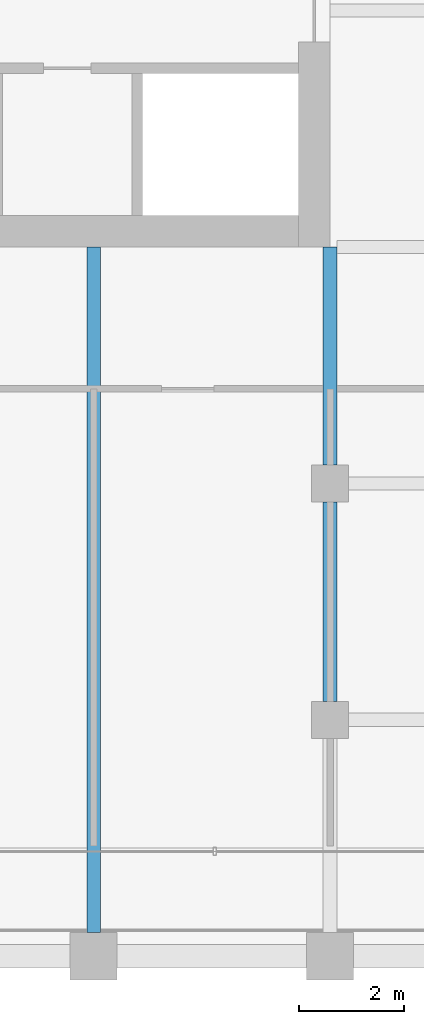
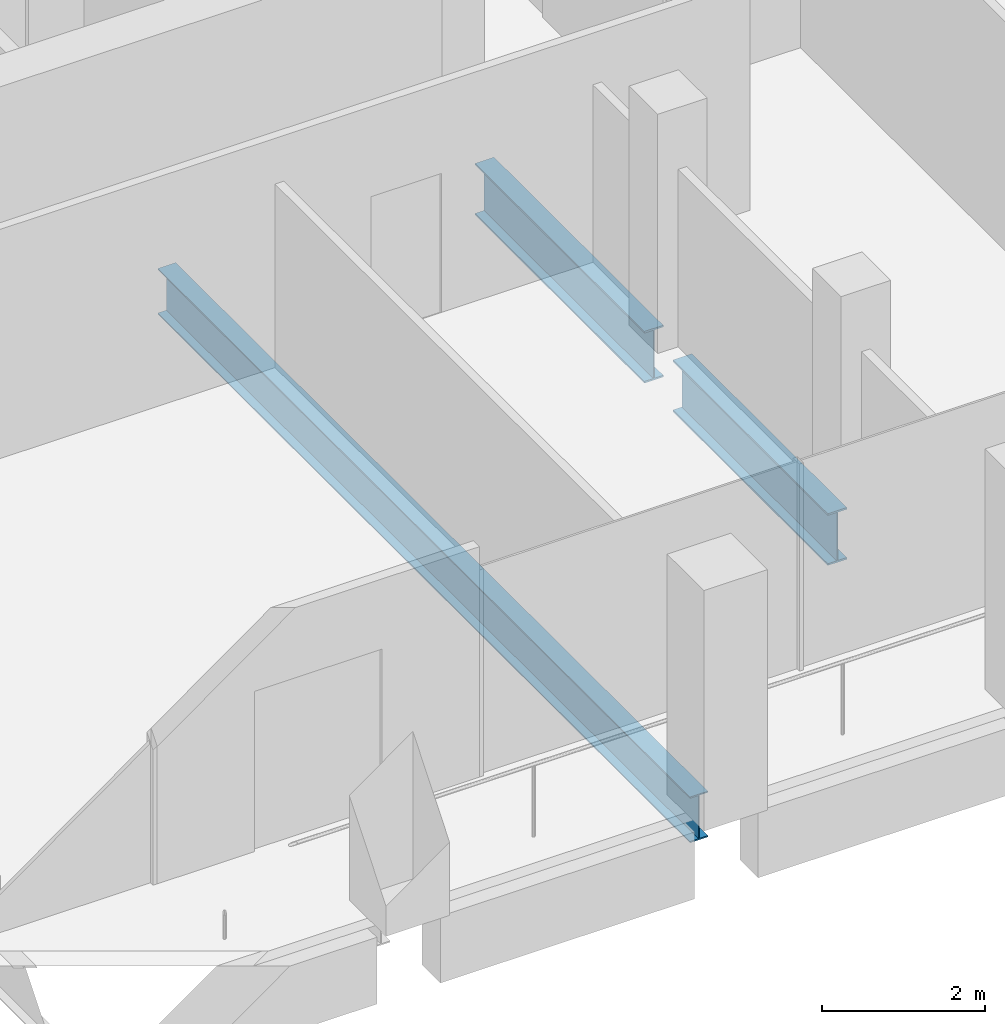
# One storey, part 10 of 40: 3 beams.
"""IFC4 building model written with IfcOpenShell, lengths in metres."""

import ifcopenshell
import ifcopenshell.guid

model = None  # the IFC model being written
_history = None  # IfcOwnerHistory: only IFC2X3 demands one
_inside = {}  # id of a spatial element -> (the spatial element, [elements in it])
_under = {}  # id of a project, library or spatial element -> (it, [spatial elements below it])
_declared = {}  # id of a project -> (the project, [libraries it declares])
_typed = {}  # id of a type object -> (the type object, [elements of that type])
_made_of = {}  # id of a material, layer set ... -> (it, [elements and type objects made of it])


def new_model(schema):
    """Start an empty IFC model of exactly this schema.

    Asked for "IFC4X3", IfcOpenShell would pick the latest addendum, in which some entities
    have other attributes; the version numbers below select the first issue.
    IFC2X3 requires an IfcOwnerHistory on every rooted entity: one is made here for all.
    """
    global model, _history
    if schema == "IFC4X3":
        model = ifcopenshell.file(schema_version=(4, 3, 0, 0))
    else:
        model = ifcopenshell.file(schema=schema)
    _inside.clear()
    _under.clear()
    _declared.clear()
    _typed.clear()
    _made_of.clear()
    _history = None
    if model.schema == "IFC2X3":
        org = make("IfcOrganization", Name="unknown")
        user = make(
            "IfcPersonAndOrganization",
            ThePerson=make("IfcPerson", FamilyName="unknown"),
            TheOrganization=org,
        )
        app = make(
            "IfcApplication",
            ApplicationDeveloper=org,
            Version="unknown",
            ApplicationFullName="unknown",
            ApplicationIdentifier="unknown",
        )
        _history = make(
            "IfcOwnerHistory",
            OwningUser=user,
            OwningApplication=app,
            ChangeAction="ADDED",
            CreationDate=0,
        )
    return model


def make(cls, **values):
    """One entity of the class cls with the attributes given. An attribute that is None is left unset."""
    return model.create_entity(
        cls, **{name: value for name, value in values.items() if value is not None}
    )


def rooted(cls, **values):
    """An entity with a GlobalId (a new one), such as an element, a storey or a relation."""
    return make(cls, GlobalId=ifcopenshell.guid.new(), OwnerHistory=_history, **values)


def si_unit(unit_type, name, prefix=None):
    """IfcSIUnit, for example si_unit("LENGTHUNIT", "METRE", prefix="MILLI")."""
    return make("IfcSIUnit", UnitType=unit_type, Prefix=prefix, Name=name)


def assignment(units):
    """IfcUnitAssignment: the units of a project."""
    return None if units is None else make("IfcUnitAssignment", Units=units)


def point(xyz):
    """IfcCartesianPoint."""
    return None if xyz is None else make("IfcCartesianPoint", Coordinates=xyz)


def direction(xyz):
    """IfcDirection."""
    return None if xyz is None else make("IfcDirection", DirectionRatios=xyz)


def frame(location, z_axis=None, x_axis=None):
    """IfcAxis2Placement3D, a coordinate frame: its origin and axes. An axis left out is left unset."""
    return make(
        "IfcAxis2Placement3D",
        Location=point(location),
        Axis=direction(z_axis),
        RefDirection=direction(x_axis),
    )


def frame_2d(location, x_axis=None):
    """IfcAxis2Placement2D, a coordinate frame in the plane: its origin and x axis."""
    return make(
        "IfcAxis2Placement2D", Location=point(location), RefDirection=direction(x_axis)
    )


def origin():
    """The frame at (0, 0, 0) with its axes left unset."""
    return frame((0.0, 0.0, 0.0))


def origin_2d():
    """The frame at (0, 0) in the plane with its x axis left unset."""
    return frame_2d((0.0, 0.0))


def place(relative_to, where):
    """IfcLocalPlacement: puts the frame where relative to a parent placement (None: the world)."""
    return make(
        "IfcLocalPlacement", PlacementRelTo=relative_to, RelativePlacement=where
    )


def context(
    kind, dimensions, precision=None, world=None, true_north=None, identifier=None
):
    """IfcGeometricRepresentationContext, for example the 3D "Model" context."""
    return make(
        "IfcGeometricRepresentationContext",
        ContextIdentifier=identifier,
        ContextType=kind,
        CoordinateSpaceDimension=dimensions,
        Precision=precision,
        WorldCoordinateSystem=world,
        TrueNorth=true_north,
    )


def subcontext(parent, identifier, kind, view, scale=None):
    """IfcGeometricRepresentationSubContext, for example "Body" below "Model"."""
    return make(
        "IfcGeometricRepresentationSubContext",
        ContextIdentifier=identifier,
        ContextType=kind,
        ParentContext=parent,
        TargetScale=scale,
        TargetView=view,
    )


def project(units=None, contexts=None):
    """IfcProject with its units and contexts."""
    return rooted(
        "IfcProject",
        Name="project",
        RepresentationContexts=contexts,
        UnitsInContext=assignment(units),
    )


def spatial(cls, under=None, at=None, **own):
    """A site, building, storey or space (cls), placed at a placement, below another one or the project."""
    s = rooted(cls, ObjectPlacement=at, **own)
    if under is not None:
        _under.setdefault(under.id(), (under, []))[1].append(s)
    return s


def profile(cls, at=None, kind="AREA", **sizes):
    """A parametric profile (cls). Its sizes go by their IFC names, for example OverallWidth=200.0."""
    return make(cls, ProfileType=kind, Position=at, **sizes)


def i_section(**sizes):
    """IfcIShapeProfileDef."""
    return profile("IfcIShapeProfileDef", **sizes)


def extrude(swept, where, along, depth):
    """IfcExtrudedAreaSolid: the profile swept, set in the frame where, extruded along a direction by depth."""
    return make(
        "IfcExtrudedAreaSolid",
        SweptArea=swept,
        Position=where,
        ExtrudedDirection=direction(along),
        Depth=depth,
    )


def shape(context_of_items, identifier, shape_type, items):
    """IfcShapeRepresentation: the items that make up one representation, for example the "Body"."""
    return make(
        "IfcShapeRepresentation",
        ContextOfItems=context_of_items,
        RepresentationIdentifier=identifier,
        RepresentationType=shape_type,
        Items=items,
    )


def material(Name=None, Category=None):
    """IfcMaterial."""
    return make("IfcMaterial", Name=Name, Category=Category)


def material_profile(
    of_material, cross_section, Name=None, Category=None, Priority=None
):
    """IfcMaterialProfile: a cross section and its material."""
    return make(
        "IfcMaterialProfile",
        Name=Name,
        Material=of_material,
        Profile=cross_section,
        Priority=Priority,
        Category=Category,
    )


def profile_set(profiles, Name=None, composite=None):
    """IfcMaterialProfileSet."""
    return make(
        "IfcMaterialProfileSet",
        Name=Name,
        MaterialProfiles=profiles,
        CompositeProfile=composite,
    )


def made_of(thing, what):
    """Note that an element or type object is made of a material, layer set ...; save() writes the relation."""
    if what is not None:
        _made_of.setdefault(what.id(), (what, []))[1].append(thing)
    return thing


def type_object(cls, material=None, **own):
    """A type object (cls), such as IfcWallType, which elements share."""
    return made_of(rooted(cls, **own), material)


def element(
    cls,
    number,
    at=None,
    inside=None,
    cuts=None,
    type_object=None,
    material=None,
    context=None,
    identifier="Body",
    shape_type=None,
    held_by="IfcProductDefinitionShape",
    body=None,
    shapes=None,
    **own,
):
    """One element of the class cls, such as IfcWall. Its Tag is "e" and its number.

    at: its placement. inside: the storey or other place that contains it. cuts: it is an
    opening in that element (IfcRelVoidsElement). A single representation is given by context,
    identifier, shape_type and body (its items); several are given by shapes. held_by: the class
    of the entity that holds the representations. save() writes the other relations.
    """
    e = rooted(cls, Tag="e%d" % number, ObjectPlacement=at, **own)
    if body is not None:
        shapes = [shape(context, identifier, shape_type, body)]
    if shapes is not None:
        e.Representation = make(held_by, Representations=shapes)
    if inside is not None:
        _inside.setdefault(inside.id(), (inside, []))[1].append(e)
    if cuts is not None:
        rooted(
            "IfcRelVoidsElement", RelatingBuildingElement=cuts, RelatedOpeningElement=e
        )
    if type_object is not None:
        _typed.setdefault(type_object.id(), (type_object, []))[1].append(e)
    return made_of(e, material)


def aggregate(whole, parts):
    """IfcRelAggregates: a whole, such as a stair, and the parts it consists of."""
    return rooted("IfcRelAggregates", RelatingObject=whole, RelatedObjects=parts)


def save(model, path):
    """Write the relations noted so far, then the file.

    IfcRelAggregates (storeys below a building ...), IfcRelContainedInSpatialStructure (elements
    in a storey), IfcRelDefinesByType, IfcRelAssociatesMaterial and IfcRelDeclares: one each for
    every whole, place, type object, material and project.
    """
    for whole, parts in _under.values():
        aggregate(whole, parts)
    for where, things in _inside.values():
        rooted(
            "IfcRelContainedInSpatialStructure",
            RelatedElements=things,
            RelatingStructure=where,
        )
    for kind, things in _typed.values():
        rooted("IfcRelDefinesByType", RelatedObjects=things, RelatingType=kind)
    for what, things in _made_of.values():
        rooted("IfcRelAssociatesMaterial", RelatedObjects=things, RelatingMaterial=what)
    for by, libraries in _declared.values():
        rooted("IfcRelDeclares", RelatingContext=by, RelatedDefinitions=libraries)
    model.write(path)


model = new_model("IFC4")

# Units and contexts
model_context = context("Model", 3, precision=1e-05, world=origin(), true_north=direction((0.0, 1.0)))
body_context = subcontext(model_context, "Body", "Model", "MODEL_VIEW")
ifc_project = project(units=[si_unit("LENGTHUNIT", "METRE"), si_unit("AREAUNIT", "SQUARE_METRE"), si_unit("VOLUMEUNIT", "CUBIC_METRE"), si_unit("PLANEANGLEUNIT", "RADIAN"), si_unit("MASSUNIT", "GRAM", prefix="KILO")], contexts=[model_context])

# Site, building, storey
site_placement = place(None, origin())
site = spatial("IfcSite", under=ifc_project, at=site_placement, CompositionType="ELEMENT")
building_placement = place(site_placement, origin())
building = spatial("IfcBuilding", under=site, at=building_placement, Name="Altepetl Exchange Towers", CompositionType="ELEMENT")
storey_placement = place(building_placement, frame((0.0, 0.0, 169.0)))
storey = spatial("IfcBuildingStorey", under=building, at=storey_placement, Name="L42", CompositionType="ELEMENT", Elevation=169.0)

# Beams
ifc_material = material(Name="Steel S355", Category="steel")
ifc_material_profile_1 = material_profile(ifc_material, i_section(OverallWidth=0.25390625, OverallDepth=0.68408203125, WebThickness=0.012451171875, FlangeThickness=0.018798828125, at=origin_2d()), Name="W27X94")
ifc_profile_set_1 = profile_set([ifc_material_profile_1], Name="Steel S355")
beam_type_1 = type_object("IfcBeamType", Name="Floor beam W27X94", PredefinedType="BEAM", material=ifc_profile_set_1)
beam_1_placement = place(storey_placement, frame((54.0, 27.449951171875, -0.491943359375), z_axis=(0.0, 1.0, 0.0), x_axis=(-1.0, 0.0, 0.0)))
element("IfcBeam", 1, at=beam_1_placement, inside=storey, type_object=beam_type_1, Name="bm:A:L42:017", PredefinedType="BEAM", context=body_context, shape_type="SweptSolid", body=[
    extrude(i_section(OverallWidth=0.25390625, OverallDepth=0.68408203125, WebThickness=0.012451171875, FlangeThickness=0.018798828125, at=origin_2d()), origin(), (0.0, 0.0, 1.0), 13.050048828125),
])
ifc_material_profile_2 = material_profile(ifc_material, i_section(OverallWidth=0.26806640625, OverallDepth=0.77392578125, WebThickness=0.015380859375, FlangeThickness=0.025390625, at=origin_2d()), Name="W30X132")
ifc_profile_set_2 = profile_set([ifc_material_profile_2], Name="Steel S355")
beam_type_2 = type_object("IfcBeamType", Name="Girder W30X132", PredefinedType="BEAM", material=ifc_profile_set_2)
beam_2_placement = place(storey_placement, frame((58.5, 40.5, -0.537109375), z_axis=(0.0, -1.0, 0.0), x_axis=(1.0, 0.0, 0.0)))
element("IfcBeam", 2, at=beam_2_placement, inside=storey, type_object=beam_type_2, Name="gd:A:L42:003", PredefinedType="BEAM", context=body_context, shape_type="SweptSolid", body=[
    extrude(i_section(OverallWidth=0.26806640625, OverallDepth=0.77392578125, WebThickness=0.015380859375, FlangeThickness=0.025390625, at=origin_2d()), origin(), (0.0, 0.0, 1.0), 4.14990234375),
])
beam_3_placement = place(storey_placement, frame((58.5, 35.64990234375, -0.537109375), z_axis=(0.0, -1.0, 0.0), x_axis=(1.0, 0.0, 0.0)))
element("IfcBeam", 3, at=beam_3_placement, inside=storey, type_object=beam_type_2, Name="gd:A:L42:004", PredefinedType="BEAM", context=body_context, shape_type="SweptSolid", body=[
    extrude(i_section(OverallWidth=0.26806640625, OverallDepth=0.77392578125, WebThickness=0.015380859375, FlangeThickness=0.025390625, at=origin_2d()), origin(), (0.0, 0.0, 1.0), 3.7998046875),
])

save(model, "model.ifc")
